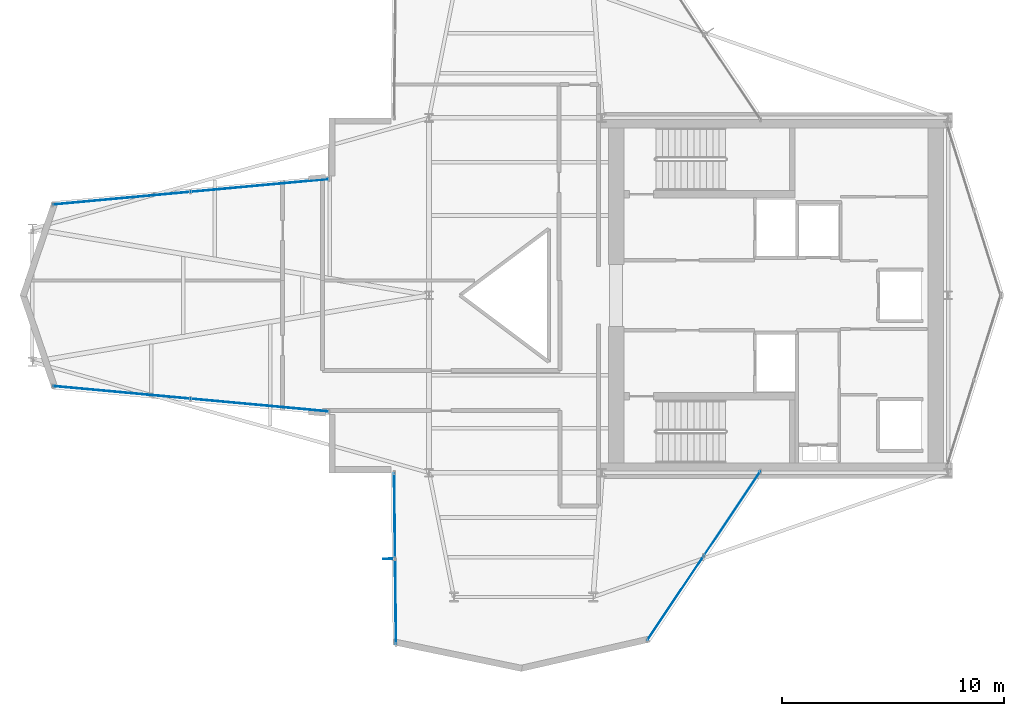
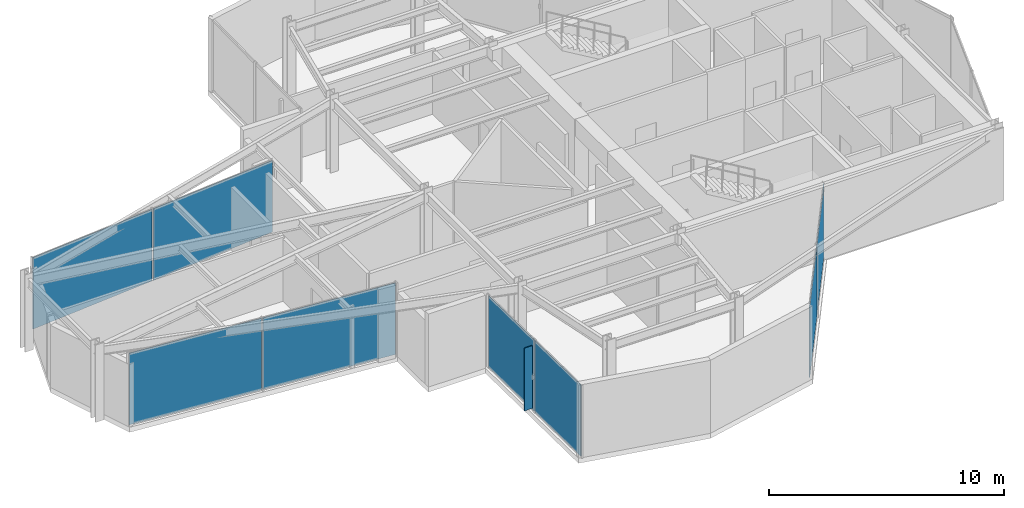
# One storey, part 17 of 22: 9 plates, 4 elements without a shape of their own.
"""IFC4 building model written with IfcOpenShell, lengths in metres."""

from ifc_helpers import new_model, si_unit, direction, frame, origin, origin_2d, place, context, subcontext, project, spatial, rectangle, extrude, material, layer, layer_set, type_object, element, aggregate, save


model = new_model("IFC4")

# Units and contexts
model_context = context("Model", 3, precision=1e-05, world=origin(), true_north=direction((0.0, 1.0)))
body_context = subcontext(model_context, "Body", "Model", "MODEL_VIEW")
ifc_project = project(units=[si_unit("LENGTHUNIT", "METRE"), si_unit("AREAUNIT", "SQUARE_METRE"), si_unit("VOLUMEUNIT", "CUBIC_METRE"), si_unit("PLANEANGLEUNIT", "RADIAN"), si_unit("MASSUNIT", "GRAM", prefix="KILO")], contexts=[model_context])

# Site, building, storey
site_placement = place(None, origin())
site = spatial("IfcSite", under=ifc_project, at=site_placement, CompositionType="ELEMENT")
building_placement = place(site_placement, origin())
building = spatial("IfcBuilding", under=site, at=building_placement, Name="Veymaron Broadcast Tower", CompositionType="ELEMENT")
storey_placement = place(building_placement, frame((0.0, 0.0, 208.050048828125)))
storey = spatial("IfcBuildingStorey", under=building, at=storey_placement, Name="L48", CompositionType="ELEMENT", Elevation=208.050048828125)

# Curtain wall, plates
ifc_material_1 = material(Name="Anodised aluminium AA 6063-T6 and laminated low-E dark glass", Category="aluminium")
ifc_layer_1 = layer(ifc_material_1, 0.179931640625)
ifc_layer_set_1 = layer_set([ifc_layer_1], Name="Anodised aluminium AA 6063-T6 and laminated low-E dark glass")
curtain_wall_type = type_object("IfcCurtainWallType", Name="CW-SYS-05", PredefinedType="NOTDEFINED", material=ifc_layer_set_1)
curtain_wall_1_placement = place(storey_placement, origin())
curtain_wall_1 = element("IfcCurtainWall", 1, at=curtain_wall_1_placement, inside=storey, type_object=curtain_wall_type, Name="L48 dark-glass curtain wall CW-L48-E11-1", PredefinedType="NOTDEFINED")
ifc_material_2 = material(Name="Double-silver solar-control dark glass IGU 32 mm", Category="glass")
ifc_layer_2 = layer(ifc_material_2, 0.031982421875)
ifc_layer_set_2 = layer_set([ifc_layer_2], Name="Double-silver solar-control dark glass IGU 32 mm")
plate_type_1 = type_object("IfcPlateType", Name="CW-PNL-02", PredefinedType="CURTAIN_PANEL", material=ifc_layer_set_2)
plate_1_placement = place(storey_placement, frame((23.572998046875, 28.95068359375, 0.0400390625), z_axis=(0.0, 0.0, 1.0), x_axis=(-0.995777734666, -0.091797075901, 0.0)))
plate_1 = element("IfcPlate", 2, at=plate_1_placement, type_object=plate_type_1, Name="CW-L48-E11-1 unitised curtain panel 0", PredefinedType="CURTAIN_PANEL", context=body_context, shape_type="SweptSolid", body=[
    extrude(rectangle(XDim=6.20654296875, YDim=0.031982421875, at=origin_2d()), origin(), (0.0, 0.0, 1.0), 3.7099609375),
])
plate_2_placement = place(storey_placement, frame((17.3330078125, 28.375244140625, 0.0400390625), z_axis=(0.0, 0.0, 1.0), x_axis=(-0.995777734666, -0.091797075901, 0.0)))
plate_2 = element("IfcPlate", 3, at=plate_2_placement, type_object=plate_type_1, Name="CW-L48-E11-1 unitised curtain panel 1", PredefinedType="CURTAIN_PANEL", context=body_context, shape_type="SweptSolid", body=[
    extrude(rectangle(XDim=6.20654296875, YDim=0.031982421875, at=origin_2d()), origin(), (0.0, 0.0, 1.0), 3.7099609375),
])
aggregate(curtain_wall_1, [plate_1, plate_2])

curtain_wall_2_placement = place(storey_placement, origin())
curtain_wall_2 = element("IfcCurtainWall", 4, at=curtain_wall_2_placement, inside=storey, type_object=curtain_wall_type, Name="L48 dark-glass curtain wall CW-L48-E14-1", PredefinedType="NOTDEFINED")
plate_3_placement = place(storey_placement, frame((17.3330078125, 19.624755859375, 0.0400390625), z_axis=(0.0, 0.0, 1.0), x_axis=(0.995777734666, -0.091797075901, 0.0)))
plate_3 = element("IfcPlate", 5, at=plate_3_placement, type_object=plate_type_1, Name="CW-L48-E14-1 unitised curtain panel 0", PredefinedType="CURTAIN_PANEL", context=body_context, shape_type="SweptSolid", body=[
    extrude(rectangle(XDim=6.20654296875, YDim=0.031982421875, at=origin_2d()), origin(), (0.0, 0.0, 1.0), 3.7099609375),
])
plate_4_placement = place(storey_placement, frame((23.572998046875, 19.04931640625, 0.0400390625), z_axis=(0.0, 0.0, 1.0), x_axis=(0.995777734666, -0.091797075901, 0.0)))
plate_4 = element("IfcPlate", 6, at=plate_4_placement, type_object=plate_type_1, Name="CW-L48-E14-1 unitised curtain panel 1", PredefinedType="CURTAIN_PANEL", context=body_context, shape_type="SweptSolid", body=[
    extrude(rectangle(XDim=6.20654296875, YDim=0.031982421875, at=origin_2d()), origin(), (0.0, 0.0, 1.0), 3.7099609375),
])
aggregate(curtain_wall_2, [plate_3, plate_4])

curtain_wall_3_placement = place(storey_placement, origin())
curtain_wall_3 = element("IfcCurtainWall", 7, at=curtain_wall_3_placement, inside=storey, type_object=curtain_wall_type, Name="L48 dark-glass curtain wall CW-L48-E17-1", PredefinedType="NOTDEFINED")
plate_5_placement = place(storey_placement, frame((29.650634765625, 14.0615234375, 0.0400390625), z_axis=(0.0, 0.0, 1.0), x_axis=(0.011152422724, -0.9999378098, 0.0)))
plate_5 = element("IfcPlate", 8, at=plate_5_placement, type_object=plate_type_1, Name="CW-L48-E17-1 unitised curtain panel 0", PredefinedType="CURTAIN_PANEL", context=body_context, shape_type="SweptSolid", body=[
    extrude(rectangle(XDim=3.8203125, YDim=0.031982421875, at=origin_2d()), origin(), (0.0, 0.0, 1.0), 3.7099609375),
])
plate_6_placement = place(storey_placement, frame((29.69384765625, 10.181640625, 0.0400390625), z_axis=(0.0, 0.0, 1.0), x_axis=(0.011152422724, -0.9999378098, 0.0)))
plate_6 = element("IfcPlate", 9, at=plate_6_placement, type_object=plate_type_1, Name="CW-L48-E17-1 unitised curtain panel 1", PredefinedType="CURTAIN_PANEL", context=body_context, shape_type="SweptSolid", body=[
    extrude(rectangle(XDim=3.8203125, YDim=0.031982421875, at=origin_2d()), origin(), (0.0, 0.0, 1.0), 3.7099609375),
])
aggregate(curtain_wall_3, [plate_5, plate_6])

curtain_wall_4_placement = place(storey_placement, origin())
curtain_wall_4 = element("IfcCurtainWall", 10, at=curtain_wall_4_placement, inside=storey, type_object=curtain_wall_type, Name="L48 dark-glass curtain wall CW-L48-E20-1", PredefinedType="NOTDEFINED")
plate_7_placement = place(storey_placement, frame((42.30810546875, 10.347900390625, 0.0400390625), z_axis=(0.0, 0.0, 1.0), x_axis=(0.556658147909, 0.830741660426, 0.0)))
plate_7 = element("IfcPlate", 11, at=plate_7_placement, type_object=plate_type_1, Name="CW-L48-E20-1 unitised curtain panel 0", PredefinedType="CURTAIN_PANEL", context=body_context, shape_type="SweptSolid", body=[
    extrude(rectangle(XDim=4.538330078125, YDim=0.031982421875, at=origin_2d()), origin(), (0.0, 0.0, 1.0), 3.7099609375),
])
plate_8_placement = place(storey_placement, frame((44.867919921875, 14.16796875, 0.0400390625), z_axis=(0.0, 0.0, 1.0), x_axis=(0.556658147909, 0.830741660426, 0.0)))
plate_8 = element("IfcPlate", 12, at=plate_8_placement, type_object=plate_type_1, Name="CW-L48-E20-1 unitised curtain panel 1", PredefinedType="CURTAIN_PANEL", context=body_context, shape_type="SweptSolid", body=[
    extrude(rectangle(XDim=4.538330078125, YDim=0.031982421875, at=origin_2d()), origin(), (0.0, 0.0, 1.0), 3.7099609375),
])
aggregate(curtain_wall_4, [plate_7, plate_8])

# Plate
ifc_material_3 = material(Name="Dark-anodised aluminium AA 6061-T6", Category="aluminium")
ifc_layer_3 = layer(ifc_material_3, 0.031982421875)
ifc_layer_set_3 = layer_set([ifc_layer_3], Name="Dark-anodised aluminium AA 6061-T6")
plate_type_2 = type_object("IfcPlateType", Name="FIN-CHEV-03", PredefinedType="USERDEFINED", material=ifc_layer_set_3)
plate_9_placement = place(storey_placement, frame((29.34228515625, 12.117919921875, 0.26513671875), z_axis=(0.0, 0.0, 1.0), x_axis=(-0.9999378098, -0.011152422724, 0.0)))
element("IfcPlate", 13, at=plate_9_placement, inside=storey, type_object=plate_type_2, Name="CW-L48-E17-1 chevron fin 1", ObjectType="FIN", PredefinedType="USERDEFINED", context=body_context, shape_type="SweptSolid", body=[
    extrude(rectangle(XDim=0.39990234375, YDim=0.034912109375, at=origin_2d()), origin(), (0.0, 0.0, 1.0), 3.259521484375),
])

save(model, "model.ifc")
